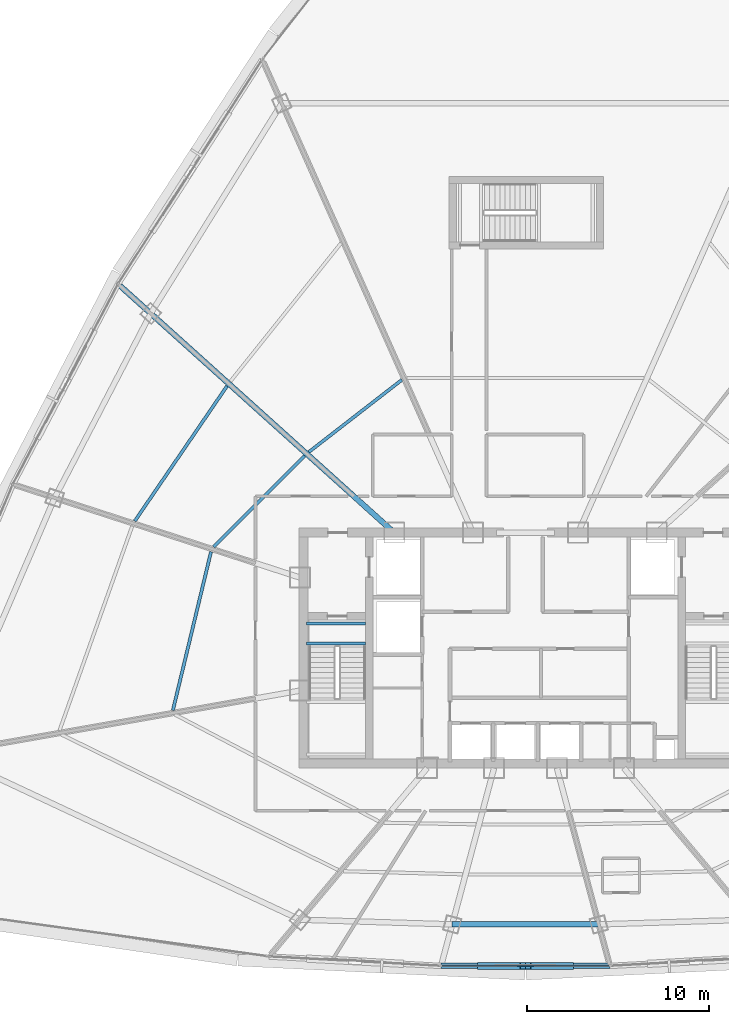
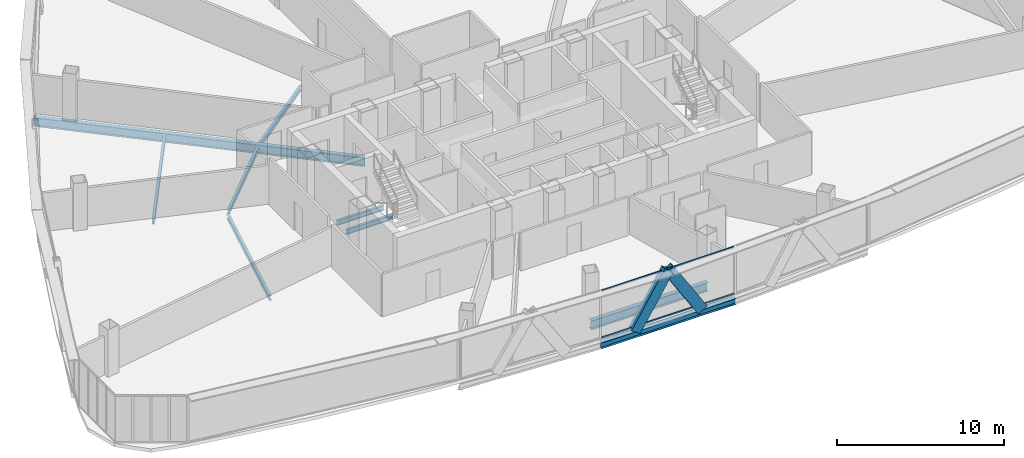
# One storey, part 9 of 36: 9 beams, 4 members, 1 element without a shape of its own.
"""IFC4 building model written with IfcOpenShell, lengths in metres."""

import ifcopenshell
import ifcopenshell.guid

model = None  # the IFC model being written
_history = None  # IfcOwnerHistory: only IFC2X3 demands one
_inside = {}  # id of a spatial element -> (the spatial element, [elements in it])
_under = {}  # id of a project, library or spatial element -> (it, [spatial elements below it])
_declared = {}  # id of a project -> (the project, [libraries it declares])
_typed = {}  # id of a type object -> (the type object, [elements of that type])
_made_of = {}  # id of a material, layer set ... -> (it, [elements and type objects made of it])


def new_model(schema):
    """Start an empty IFC model of exactly this schema.

    Asked for "IFC4X3", IfcOpenShell would pick the latest addendum, in which some entities
    have other attributes; the version numbers below select the first issue.
    IFC2X3 requires an IfcOwnerHistory on every rooted entity: one is made here for all.
    """
    global model, _history
    if schema == "IFC4X3":
        model = ifcopenshell.file(schema_version=(4, 3, 0, 0))
    else:
        model = ifcopenshell.file(schema=schema)
    _inside.clear()
    _under.clear()
    _declared.clear()
    _typed.clear()
    _made_of.clear()
    _history = None
    if model.schema == "IFC2X3":
        org = make("IfcOrganization", Name="unknown")
        user = make(
            "IfcPersonAndOrganization",
            ThePerson=make("IfcPerson", FamilyName="unknown"),
            TheOrganization=org,
        )
        app = make(
            "IfcApplication",
            ApplicationDeveloper=org,
            Version="unknown",
            ApplicationFullName="unknown",
            ApplicationIdentifier="unknown",
        )
        _history = make(
            "IfcOwnerHistory",
            OwningUser=user,
            OwningApplication=app,
            ChangeAction="ADDED",
            CreationDate=0,
        )
    return model


def make(cls, **values):
    """One entity of the class cls with the attributes given. An attribute that is None is left unset."""
    return model.create_entity(
        cls, **{name: value for name, value in values.items() if value is not None}
    )


def rooted(cls, **values):
    """An entity with a GlobalId (a new one), such as an element, a storey or a relation."""
    return make(cls, GlobalId=ifcopenshell.guid.new(), OwnerHistory=_history, **values)


def si_unit(unit_type, name, prefix=None):
    """IfcSIUnit, for example si_unit("LENGTHUNIT", "METRE", prefix="MILLI")."""
    return make("IfcSIUnit", UnitType=unit_type, Prefix=prefix, Name=name)


def assignment(units):
    """IfcUnitAssignment: the units of a project."""
    return None if units is None else make("IfcUnitAssignment", Units=units)


def point(xyz):
    """IfcCartesianPoint."""
    return None if xyz is None else make("IfcCartesianPoint", Coordinates=xyz)


def direction(xyz):
    """IfcDirection."""
    return None if xyz is None else make("IfcDirection", DirectionRatios=xyz)


def frame(location, z_axis=None, x_axis=None):
    """IfcAxis2Placement3D, a coordinate frame: its origin and axes. An axis left out is left unset."""
    return make(
        "IfcAxis2Placement3D",
        Location=point(location),
        Axis=direction(z_axis),
        RefDirection=direction(x_axis),
    )


def frame_2d(location, x_axis=None):
    """IfcAxis2Placement2D, a coordinate frame in the plane: its origin and x axis."""
    return make(
        "IfcAxis2Placement2D", Location=point(location), RefDirection=direction(x_axis)
    )


def origin():
    """The frame at (0, 0, 0) with its axes left unset."""
    return frame((0.0, 0.0, 0.0))


def origin_2d():
    """The frame at (0, 0) in the plane with its x axis left unset."""
    return frame_2d((0.0, 0.0))


def place(relative_to, where):
    """IfcLocalPlacement: puts the frame where relative to a parent placement (None: the world)."""
    return make(
        "IfcLocalPlacement", PlacementRelTo=relative_to, RelativePlacement=where
    )


def context(
    kind, dimensions, precision=None, world=None, true_north=None, identifier=None
):
    """IfcGeometricRepresentationContext, for example the 3D "Model" context."""
    return make(
        "IfcGeometricRepresentationContext",
        ContextIdentifier=identifier,
        ContextType=kind,
        CoordinateSpaceDimension=dimensions,
        Precision=precision,
        WorldCoordinateSystem=world,
        TrueNorth=true_north,
    )


def subcontext(parent, identifier, kind, view, scale=None):
    """IfcGeometricRepresentationSubContext, for example "Body" below "Model"."""
    return make(
        "IfcGeometricRepresentationSubContext",
        ContextIdentifier=identifier,
        ContextType=kind,
        ParentContext=parent,
        TargetScale=scale,
        TargetView=view,
    )


def project(units=None, contexts=None):
    """IfcProject with its units and contexts."""
    return rooted(
        "IfcProject",
        Name="project",
        RepresentationContexts=contexts,
        UnitsInContext=assignment(units),
    )


def spatial(cls, under=None, at=None, **own):
    """A site, building, storey or space (cls), placed at a placement, below another one or the project."""
    s = rooted(cls, ObjectPlacement=at, **own)
    if under is not None:
        _under.setdefault(under.id(), (under, []))[1].append(s)
    return s


def profile(cls, at=None, kind="AREA", **sizes):
    """A parametric profile (cls). Its sizes go by their IFC names, for example OverallWidth=200.0."""
    return make(cls, ProfileType=kind, Position=at, **sizes)


def hollow_rectangle(**sizes):
    """IfcRectangleHollowProfileDef."""
    return profile("IfcRectangleHollowProfileDef", **sizes)


def i_section(**sizes):
    """IfcIShapeProfileDef."""
    return profile("IfcIShapeProfileDef", **sizes)


def extrude(swept, where, along, depth):
    """IfcExtrudedAreaSolid: the profile swept, set in the frame where, extruded along a direction by depth."""
    return make(
        "IfcExtrudedAreaSolid",
        SweptArea=swept,
        Position=where,
        ExtrudedDirection=direction(along),
        Depth=depth,
    )


def shape(context_of_items, identifier, shape_type, items):
    """IfcShapeRepresentation: the items that make up one representation, for example the "Body"."""
    return make(
        "IfcShapeRepresentation",
        ContextOfItems=context_of_items,
        RepresentationIdentifier=identifier,
        RepresentationType=shape_type,
        Items=items,
    )


def source(mapping_origin, context_of_items, identifier, shape_type, items):
    """IfcRepresentationMap: a shape defined once, which mapped items show again and again."""
    return make(
        "IfcRepresentationMap",
        MappingOrigin=mapping_origin,
        MappedRepresentation=shape(context_of_items, identifier, shape_type, items),
    )


def transform(
    local_origin,
    x_axis=None,
    y_axis=None,
    z_axis=None,
    scale=None,
    scale2=None,
    scale3=None,
    uniform=True,
):
    """IfcCartesianTransformationOperator3D, or its non-uniform kind. x_axis, y_axis, z_axis: its Axis1, 2, 3."""
    if uniform:
        return make(
            "IfcCartesianTransformationOperator3D",
            Axis1=direction(x_axis),
            Axis2=direction(y_axis),
            LocalOrigin=point(local_origin),
            Scale=scale,
            Axis3=direction(z_axis),
        )
    return make(
        "IfcCartesianTransformationOperator3DnonUniform",
        Axis1=direction(x_axis),
        Axis2=direction(y_axis),
        LocalOrigin=point(local_origin),
        Scale=scale,
        Axis3=direction(z_axis),
        Scale2=scale2,
        Scale3=scale3,
    )


def mapped(mapping_source, mapping_target):
    """IfcMappedItem: shows the shape of a source again, moved by a transform."""
    return make(
        "IfcMappedItem", MappingSource=mapping_source, MappingTarget=mapping_target
    )


def material(Name=None, Category=None):
    """IfcMaterial."""
    return make("IfcMaterial", Name=Name, Category=Category)


def layer(
    of_material, thickness, ventilated=None, Name=None, Category=None, Priority=None
):
    """IfcMaterialLayer: one layer of a wall or slab, of a material (None: an air gap)."""
    return make(
        "IfcMaterialLayer",
        Material=of_material,
        LayerThickness=thickness,
        IsVentilated=ventilated,
        Name=Name,
        Category=Category,
        Priority=Priority,
    )


def layer_set(layers, Name=None):
    """IfcMaterialLayerSet."""
    return make("IfcMaterialLayerSet", MaterialLayers=layers, LayerSetName=Name)


def material_profile(
    of_material, cross_section, Name=None, Category=None, Priority=None
):
    """IfcMaterialProfile: a cross section and its material."""
    return make(
        "IfcMaterialProfile",
        Name=Name,
        Material=of_material,
        Profile=cross_section,
        Priority=Priority,
        Category=Category,
    )


def profile_set(profiles, Name=None, composite=None):
    """IfcMaterialProfileSet."""
    return make(
        "IfcMaterialProfileSet",
        Name=Name,
        MaterialProfiles=profiles,
        CompositeProfile=composite,
    )


def made_of(thing, what):
    """Note that an element or type object is made of a material, layer set ...; save() writes the relation."""
    if what is not None:
        _made_of.setdefault(what.id(), (what, []))[1].append(thing)
    return thing


def type_object(cls, material=None, **own):
    """A type object (cls), such as IfcWallType, which elements share."""
    return made_of(rooted(cls, **own), material)


def element(
    cls,
    number,
    at=None,
    inside=None,
    cuts=None,
    type_object=None,
    material=None,
    context=None,
    identifier="Body",
    shape_type=None,
    held_by="IfcProductDefinitionShape",
    body=None,
    shapes=None,
    **own,
):
    """One element of the class cls, such as IfcWall. Its Tag is "e" and its number.

    at: its placement. inside: the storey or other place that contains it. cuts: it is an
    opening in that element (IfcRelVoidsElement). A single representation is given by context,
    identifier, shape_type and body (its items); several are given by shapes. held_by: the class
    of the entity that holds the representations. save() writes the other relations.
    """
    e = rooted(cls, Tag="e%d" % number, ObjectPlacement=at, **own)
    if body is not None:
        shapes = [shape(context, identifier, shape_type, body)]
    if shapes is not None:
        e.Representation = make(held_by, Representations=shapes)
    if inside is not None:
        _inside.setdefault(inside.id(), (inside, []))[1].append(e)
    if cuts is not None:
        rooted(
            "IfcRelVoidsElement", RelatingBuildingElement=cuts, RelatedOpeningElement=e
        )
    if type_object is not None:
        _typed.setdefault(type_object.id(), (type_object, []))[1].append(e)
    return made_of(e, material)


def aggregate(whole, parts):
    """IfcRelAggregates: a whole, such as a stair, and the parts it consists of."""
    return rooted("IfcRelAggregates", RelatingObject=whole, RelatedObjects=parts)


def save(model, path):
    """Write the relations noted so far, then the file.

    IfcRelAggregates (storeys below a building ...), IfcRelContainedInSpatialStructure (elements
    in a storey), IfcRelDefinesByType, IfcRelAssociatesMaterial and IfcRelDeclares: one each for
    every whole, place, type object, material and project.
    """
    for whole, parts in _under.values():
        aggregate(whole, parts)
    for where, things in _inside.values():
        rooted(
            "IfcRelContainedInSpatialStructure",
            RelatedElements=things,
            RelatingStructure=where,
        )
    for kind, things in _typed.values():
        rooted("IfcRelDefinesByType", RelatedObjects=things, RelatingType=kind)
    for what, things in _made_of.values():
        rooted("IfcRelAssociatesMaterial", RelatedObjects=things, RelatingMaterial=what)
    for by, libraries in _declared.values():
        rooted("IfcRelDeclares", RelatingContext=by, RelatedDefinitions=libraries)
    model.write(path)


model = new_model("IFC4")

# Units and contexts
model_context = context("Model", 3, precision=1e-05, world=origin(), true_north=direction((0.0, 1.0)))
body_context = subcontext(model_context, "Body", "Model", "MODEL_VIEW")
ifc_project = project(units=[si_unit("LENGTHUNIT", "METRE"), si_unit("AREAUNIT", "SQUARE_METRE"), si_unit("VOLUMEUNIT", "CUBIC_METRE"), si_unit("PLANEANGLEUNIT", "RADIAN"), si_unit("MASSUNIT", "GRAM", prefix="KILO"), si_unit("THERMODYNAMICTEMPERATUREUNIT", "KELVIN"), si_unit("POWERUNIT", "WATT")], contexts=[model_context])

# Site, building, storey
site_placement = place(None, origin())
site = spatial("IfcSite", under=ifc_project, at=site_placement, CompositionType="ELEMENT")
building_placement = place(site_placement, origin())
building = spatial("IfcBuilding", under=site, at=building_placement, Name="Yunzhuo Pagoda Commons", CompositionType="ELEMENT")
storey_placement = place(building_placement, frame((0.0, 0.0, 244.530029296875)))
storey = spatial("IfcBuildingStorey", under=building, at=storey_placement, Name="L61", CompositionType="ELEMENT", Elevation=244.530029296875)

# Beams
ifc_material_1 = material(Name="Structural steel Q355B", Category="steel")
ifc_material_profile_1 = material_profile(ifc_material_1, i_section(OverallWidth=0.175048828125, OverallDepth=0.35009765625, WebThickness=0.007080078125, FlangeThickness=0.010986328125, at=origin_2d()), Name="Structural steel Q355B")
ifc_profile_set_1 = profile_set([ifc_material_profile_1], Name="Structural steel Q355B")
beam_type_1 = type_object("IfcBeamType", Name="B-JS2 Joist HN 350x175x7x11", PredefinedType="JOIST", material=ifc_profile_set_1)
shared_shape_1 = source(origin(), body_context, "Body", "SweptSolid", [
    extrude(i_section(OverallWidth=0.175048828125, OverallDepth=0.35009765625, WebThickness=0.007080078125, FlangeThickness=0.010986328125, at=origin_2d()), origin(), (0.0, 0.0, 1.0), 3.25),
])
for number, where, z_axis, x_axis, name in (
    (1, (35.949951171875, 34.10009765625, -0.375), (1.0, 0.0, 0.0), (0.0, 1.0, 0.0), "L61 ST1 landing support beam 165A"),
    (2, (35.949951171875, 35.199951171875, -0.375), (1.0, 0.0, 0.0), (0.0, 1.0, 0.0), "L61 ST1 landing support beam 165B"),
):
    element("IfcBeam", number, at=place(storey_placement, frame(where, z_axis=z_axis, x_axis=x_axis)), inside=storey, type_object=beam_type_1, Name=name, PredefinedType="JOIST", context=body_context, shape_type="MappedRepresentation", body=[
        mapped(shared_shape_1, transform((0.0, 0.0, 0.0), scale=1.0)),
    ])
ifc_material_profile_2 = material_profile(ifc_material_1, i_section(OverallWidth=0.300048828125, OverallDepth=0.64990234375, WebThickness=0.012939453125, FlangeThickness=0.02197265625, at=origin_2d()), Name="Structural steel Q355B")
ifc_profile_set_2 = profile_set([ifc_material_profile_2], Name="Structural steel Q355B")
beam_type_2 = type_object("IfcBeamType", Name="B-RG2 Beam HN 650x300x13x22", PredefinedType="BEAM", material=ifc_profile_set_2)
shared_shape_2 = source(origin(), body_context, "Body", "SweptSolid", [
    extrude(i_section(OverallWidth=0.300048828125, OverallDepth=0.64990234375, WebThickness=0.012939453125, FlangeThickness=0.02197265625, at=origin_2d()), origin(), (0.0, 0.0, 1.0), 8.06298828125),
])
beam_1_placement = place(storey_placement, frame((43.968505859375, 18.654052734375, -0.5849609375), z_axis=(1.0, 0.0, 0.0), x_axis=(0.0, 1.0, 0.0)))
element("IfcBeam", 3, at=beam_1_placement, inside=storey, type_object=beam_type_2, Name="L61 column-ring beam 2", PredefinedType="BEAM", context=body_context, shape_type="MappedRepresentation", body=[
    mapped(shared_shape_2, transform((0.0, 0.0, 0.0), scale=1.0)),
])
shared_shape_3 = source(origin(), body_context, "Body", "SweptSolid", [
    extrude(i_section(OverallWidth=0.175048828125, OverallDepth=0.35009765625, WebThickness=0.007080078125, FlangeThickness=0.010986328125, at=origin_2d()), origin(), (0.0, 0.0, 1.0), 8.973876953125),
])
beam_2_placement = place(storey_placement, frame((30.703369140625, 39.1533203125, -0.43505859375), z_axis=(-0.233807152827, -0.972282991359, 0.0), x_axis=(0.972282991359, -0.233807152827, 0.0)))
element("IfcBeam", 4, at=beam_2_placement, inside=storey, type_object=beam_type_1, Name="L61 composite ring joist 1.11", PredefinedType="JOIST", context=body_context, shape_type="MappedRepresentation", body=[
    mapped(shared_shape_3, transform((0.0, 0.0, 0.0), scale=1.0)),
])
shared_shape_4 = source(origin(), body_context, "Body", "SweptSolid", [
    extrude(i_section(OverallWidth=0.175048828125, OverallDepth=0.35009765625, WebThickness=0.007080078125, FlangeThickness=0.010986328125, at=origin_2d()), origin(), (0.0, 0.0, 1.0), 7.0732421875),
])
beam_3_placement = place(storey_placement, frame((35.847412109375, 44.4287109375, -0.43505859375), z_axis=(-0.706139657206, -0.708072584218, 0.0), x_axis=(0.708072584218, -0.706139657206, 0.0)))
element("IfcBeam", 5, at=beam_3_placement, inside=storey, type_object=beam_type_1, Name="L61 composite ring joist 1.10", PredefinedType="JOIST", context=body_context, shape_type="MappedRepresentation", body=[
    mapped(shared_shape_4, transform((0.0, 0.0, 0.0), scale=1.0)),
])
shared_shape_5 = source(origin(), body_context, "Body", "SweptSolid", [
    extrude(i_section(OverallWidth=0.175048828125, OverallDepth=0.35009765625, WebThickness=0.007080078125, FlangeThickness=0.010986328125, at=origin_2d()), origin(), (0.0, 0.0, 1.0), 8.99365234375),
])
beam_4_placement = place(storey_placement, frame((31.583984375, 48.268798828125, -0.43505859375), z_axis=(-0.564098900337, -0.825707230584, 0.0), x_axis=(0.825707230584, -0.564098900337, 0.0)))
element("IfcBeam", 6, at=beam_4_placement, inside=storey, type_object=beam_type_1, Name="L61 composite ring joist 2.10", PredefinedType="JOIST", context=body_context, shape_type="MappedRepresentation", body=[
    mapped(shared_shape_5, transform((0.0, 0.0, 0.0), scale=1.0)),
])
shared_shape_6 = source(origin(), body_context, "Body", "SweptSolid", [
    extrude(i_section(OverallWidth=0.175048828125, OverallDepth=0.35009765625, WebThickness=0.007080078125, FlangeThickness=0.010986328125, at=origin_2d()), origin(), (0.0, 0.0, 1.0), 6.4677734375),
])
beam_5_placement = place(storey_placement, frame((41.19580078125, 48.602783203125, -0.43505859375), z_axis=(-0.790160481991, -0.612900002202, 0.0), x_axis=(0.612900002202, -0.790160481991, 0.0)))
element("IfcBeam", 7, at=beam_5_placement, inside=storey, type_object=beam_type_1, Name="L61 composite ring joist 1.9", PredefinedType="JOIST", context=body_context, shape_type="MappedRepresentation", body=[
    mapped(shared_shape_6, transform((0.0, 0.0, 0.0), scale=1.0)),
])
shared_shape_7 = source(origin(), body_context, "Body", "SweptSolid", [
    extrude(i_section(OverallWidth=0.300048828125, OverallDepth=0.64990234375, WebThickness=0.012939453125, FlangeThickness=0.02197265625, at=origin_2d()), origin(), (0.0, 0.0, 1.0), 20.288818359375),
])
beam_6_placement = place(storey_placement, frame((25.70361328125, 53.77587890625, -0.5849609375), z_axis=(0.743140353035, -0.669135573477, 0.0), x_axis=(0.669135573477, 0.743140353035, 0.0)))
element("IfcBeam", 8, at=beam_6_placement, inside=storey, type_object=beam_type_2, Name="L61 radial floor girder F3C2", PredefinedType="BEAM", context=body_context, shape_type="MappedRepresentation", body=[
    mapped(shared_shape_7, transform((0.0, 0.0, 0.0), scale=1.0)),
])
ifc_material_profile_3 = material_profile(ifc_material_1, i_section(OverallWidth=0.300048828125, OverallDepth=0.43994140625, WebThickness=0.010986328125, FlangeThickness=0.01806640625, at=origin_2d()), Name="Structural steel Q355B")
ifc_profile_set_3 = profile_set([ifc_material_profile_3], Name="Structural steel Q355B")
beam_type_3 = type_object("IfcBeamType", Name="B-SP2 Beam HM 440x300x11x18", PredefinedType="BEAM", material=ifc_profile_set_3)
shared_shape_8 = source(origin(), body_context, "Body", "SweptSolid", [
    extrude(i_section(OverallWidth=0.300048828125, OverallDepth=0.43994140625, WebThickness=0.010986328125, FlangeThickness=0.01806640625, at=origin_2d()), origin(), (0.0, 0.0, 1.0), 9.28759765625),
])
beam_7_placement = place(storey_placement, frame((43.356201171875, 16.36865234375, -0.47998046875), z_axis=(1.0, 0.0, 0.0), x_axis=(0.0, 1.0, 0.0)))
element("IfcBeam", 9, at=beam_7_placement, inside=storey, type_object=beam_type_3, Name="L61 facade edge spandrel beam F1.2", PredefinedType="BEAM", context=body_context, shape_type="MappedRepresentation", body=[
    mapped(shared_shape_8, transform((0.0, 0.0, 0.0), scale=1.0)),
])

# Members
ifc_material_profile_4 = material_profile(ifc_material_1, hollow_rectangle(XDim=0.39990234375, YDim=0.719970703125, WallThickness=0.02392578125, at=origin_2d()), Name="Structural steel Q355B")
ifc_profile_set_4 = profile_set([ifc_material_profile_4], Name="Structural steel Q355B")
member_type_1 = type_object("IfcMemberType", Name="M-DL2 Brace BOX 720x400x24", PredefinedType="BRACE", material=ifc_profile_set_4)
shared_shape_9 = source(origin(), body_context, "Body", "SweptSolid", [
    extrude(hollow_rectangle(XDim=0.39990234375, YDim=0.719970703125, WallThickness=0.02392578125, at=origin_2d()), origin(), (0.0, 0.0, 1.0), 4.3935546875),
])
member_1_placement = place(storey_placement, frame((50.322265625, 16.36865234375, -0.259765625), z_axis=(-0.528554675086, 0.0, 0.84889926107), x_axis=(0.0, -1.0, 0.0)))
element("IfcMember", 10, at=member_1_placement, inside=storey, type_object=member_type_1, Name="L61 facade diamond brace F1.2R", PredefinedType="BRACE", context=body_context, shape_type="MappedRepresentation", body=[
    mapped(shared_shape_9, transform((0.0, 0.0, 0.0), scale=1.0)),
])
shared_shape_10 = source(origin(), body_context, "Body", "SweptSolid", [
    extrude(hollow_rectangle(XDim=0.39990234375, YDim=0.719970703125, WallThickness=0.02392578125, at=origin_2d()), origin(), (0.0, 0.0, 1.0), 4.393310546875),
])
member_2_placement = place(storey_placement, frame((45.67822265625, 16.36865234375, -0.259765625), z_axis=(0.528474581332, 0.0, 0.848949125028), x_axis=(0.0, 1.0, 0.0)))
element("IfcMember", 11, at=member_2_placement, inside=storey, type_object=member_type_1, Name="L61 facade diamond brace F1.2L", PredefinedType="BRACE", context=body_context, shape_type="MappedRepresentation", body=[
    mapped(shared_shape_10, transform((0.0, 0.0, 0.0), scale=1.0)),
])

# Curtain wall, members
ifc_material_2 = material(Name="Anodized aluminium 6063-T6", Category="aluminium")
ifc_layer = layer(ifc_material_2, 0.139892578125)
ifc_layer_set = layer_set([ifc_layer], Name="Anodized aluminium 6063-T6")
curtain_wall_type = type_object("IfcCurtainWallType", Name="CW-HI High-Zone Ribbon Curtain Wall", PredefinedType="NOTDEFINED", material=ifc_layer_set)
curtain_wall_placement = place(storey_placement, origin())
curtain_wall = element("IfcCurtainWall", 12, at=curtain_wall_placement, inside=storey, type_object=curtain_wall_type, Name="L61 curtain wall CW-L61-F1B3", PredefinedType="NOTDEFINED")
ifc_material_profile_5 = material_profile(ifc_material_2, hollow_rectangle(XDim=0.054931640625, YDim=0.1201171875, WallThickness=0.00341796875, at=origin_2d()), Name="Anodized aluminium 6063-T6")
ifc_profile_set_5 = profile_set([ifc_material_profile_5], Name="Anodized aluminium 6063-T6")
member_type_2 = type_object("IfcMemberType", Name="CW-HI-T Transom RHS 120x55x3.5", PredefinedType="USERDEFINED", material=ifc_profile_set_5)
shared_shape_11 = source(origin(), body_context, "Body", "SweptSolid", [
    extrude(hollow_rectangle(XDim=0.054931640625, YDim=0.1201171875, WallThickness=0.00341796875, at=origin_2d()), origin(), (0.0, 0.0, 1.0), 9.16796875),
])
member_3_placement = place(storey_placement, frame((43.416015625, 16.36865234375, 0.027587890625), z_axis=(1.0, 0.0, 0.0), x_axis=(0.0, 1.0, 0.0)))
member_3 = element("IfcMember", 13, at=member_3_placement, type_object=member_type_2, Name="CW transom 1.1", ObjectType="TRANSOM", PredefinedType="USERDEFINED", context=body_context, shape_type="MappedRepresentation", body=[
    mapped(shared_shape_11, transform((0.0, 0.0, 0.0), scale=1.0)),
])
member_4_placement = place(storey_placement, frame((43.416015625, 16.36865234375, 3.4423828125), z_axis=(1.0, 0.0, 0.0), x_axis=(0.0, 1.0, 0.0)))
member_4 = element("IfcMember", 14, at=member_4_placement, type_object=member_type_2, Name="CW transom 1.2", ObjectType="TRANSOM", PredefinedType="USERDEFINED", context=body_context, shape_type="MappedRepresentation", body=[
    mapped(shared_shape_11, transform((0.0, 0.0, 0.0), scale=1.0)),
])
aggregate(curtain_wall, [member_3, member_4])

save(model, "model.ifc")
